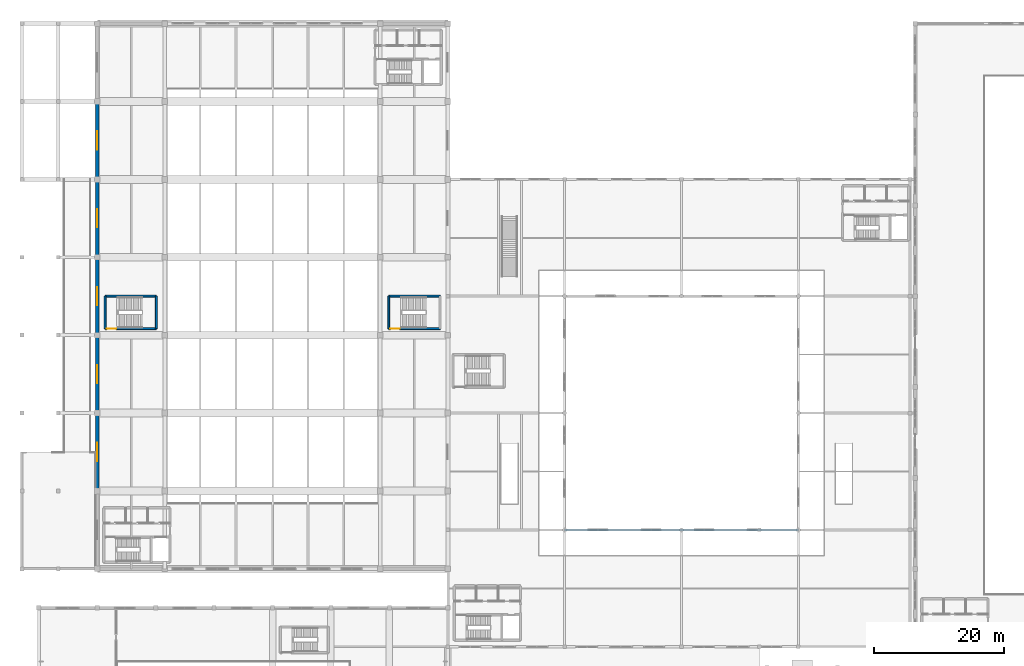
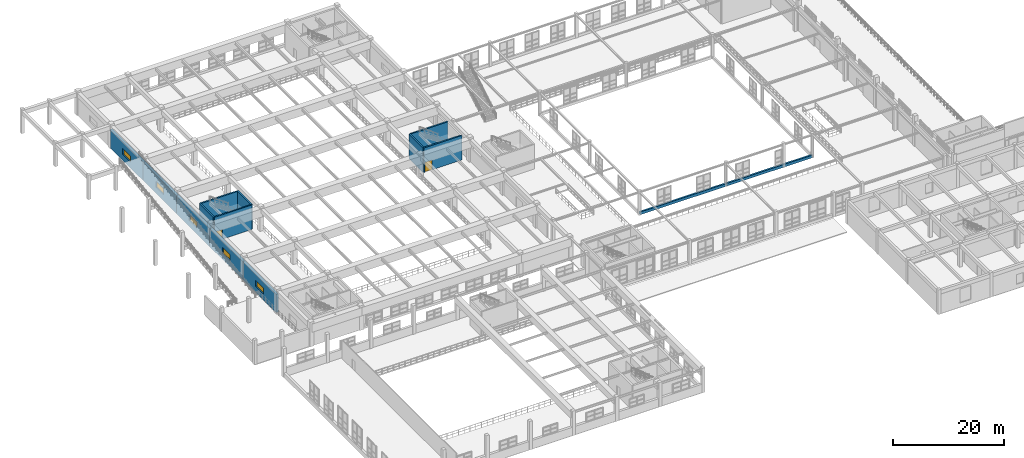
# One storey, part 172 of 197: 13 walls, 5 windows, 2 doors, 7 openings.
"""IFC4 building model written with IfcOpenShell, lengths in metres."""

import ifcopenshell
import ifcopenshell.guid

model = None  # the IFC model being written
_history = None  # IfcOwnerHistory: only IFC2X3 demands one
_inside = {}  # id of a spatial element -> (the spatial element, [elements in it])
_under = {}  # id of a project, library or spatial element -> (it, [spatial elements below it])
_declared = {}  # id of a project -> (the project, [libraries it declares])
_typed = {}  # id of a type object -> (the type object, [elements of that type])
_made_of = {}  # id of a material, layer set ... -> (it, [elements and type objects made of it])


def new_model(schema):
    """Start an empty IFC model of exactly this schema.

    Asked for "IFC4X3", IfcOpenShell would pick the latest addendum, in which some entities
    have other attributes; the version numbers below select the first issue.
    IFC2X3 requires an IfcOwnerHistory on every rooted entity: one is made here for all.
    """
    global model, _history
    if schema == "IFC4X3":
        model = ifcopenshell.file(schema_version=(4, 3, 0, 0))
    else:
        model = ifcopenshell.file(schema=schema)
    _inside.clear()
    _under.clear()
    _declared.clear()
    _typed.clear()
    _made_of.clear()
    _history = None
    if model.schema == "IFC2X3":
        org = make("IfcOrganization", Name="unknown")
        user = make(
            "IfcPersonAndOrganization",
            ThePerson=make("IfcPerson", FamilyName="unknown"),
            TheOrganization=org,
        )
        app = make(
            "IfcApplication",
            ApplicationDeveloper=org,
            Version="unknown",
            ApplicationFullName="unknown",
            ApplicationIdentifier="unknown",
        )
        _history = make(
            "IfcOwnerHistory",
            OwningUser=user,
            OwningApplication=app,
            ChangeAction="ADDED",
            CreationDate=0,
        )
    return model


def make(cls, **values):
    """One entity of the class cls with the attributes given. An attribute that is None is left unset."""
    return model.create_entity(
        cls, **{name: value for name, value in values.items() if value is not None}
    )


def rooted(cls, **values):
    """An entity with a GlobalId (a new one), such as an element, a storey or a relation."""
    return make(cls, GlobalId=ifcopenshell.guid.new(), OwnerHistory=_history, **values)


def si_unit(unit_type, name, prefix=None):
    """IfcSIUnit, for example si_unit("LENGTHUNIT", "METRE", prefix="MILLI")."""
    return make("IfcSIUnit", UnitType=unit_type, Prefix=prefix, Name=name)


def derived_unit(unit_type, elements):
    """IfcDerivedUnit: a product of units, each with its exponent."""
    return make(
        "IfcDerivedUnit",
        Elements=[
            make("IfcDerivedUnitElement", Unit=unit, Exponent=power)
            for unit, power in elements
        ],
        UnitType=unit_type,
    )


def assignment(units):
    """IfcUnitAssignment: the units of a project."""
    return None if units is None else make("IfcUnitAssignment", Units=units)


def point(xyz):
    """IfcCartesianPoint."""
    return None if xyz is None else make("IfcCartesianPoint", Coordinates=xyz)


def direction(xyz):
    """IfcDirection."""
    return None if xyz is None else make("IfcDirection", DirectionRatios=xyz)


def frame(location, z_axis=None, x_axis=None):
    """IfcAxis2Placement3D, a coordinate frame: its origin and axes. An axis left out is left unset."""
    return make(
        "IfcAxis2Placement3D",
        Location=point(location),
        Axis=direction(z_axis),
        RefDirection=direction(x_axis),
    )


def frame_2d(location, x_axis=None):
    """IfcAxis2Placement2D, a coordinate frame in the plane: its origin and x axis."""
    return make(
        "IfcAxis2Placement2D", Location=point(location), RefDirection=direction(x_axis)
    )


def origin():
    """The frame at (0, 0, 0) with its axes left unset."""
    return frame((0.0, 0.0, 0.0))


def place(relative_to, where):
    """IfcLocalPlacement: puts the frame where relative to a parent placement (None: the world)."""
    return make(
        "IfcLocalPlacement", PlacementRelTo=relative_to, RelativePlacement=where
    )


def context(
    kind, dimensions, precision=None, world=None, true_north=None, identifier=None
):
    """IfcGeometricRepresentationContext, for example the 3D "Model" context."""
    return make(
        "IfcGeometricRepresentationContext",
        ContextIdentifier=identifier,
        ContextType=kind,
        CoordinateSpaceDimension=dimensions,
        Precision=precision,
        WorldCoordinateSystem=world,
        TrueNorth=true_north,
    )


def subcontext(parent, identifier, kind, view, scale=None):
    """IfcGeometricRepresentationSubContext, for example "Body" below "Model"."""
    return make(
        "IfcGeometricRepresentationSubContext",
        ContextIdentifier=identifier,
        ContextType=kind,
        ParentContext=parent,
        TargetScale=scale,
        TargetView=view,
    )


def project(units=None, contexts=None):
    """IfcProject with its units and contexts."""
    return rooted(
        "IfcProject",
        Name="project",
        RepresentationContexts=contexts,
        UnitsInContext=assignment(units),
    )


def spatial(cls, under=None, at=None, **own):
    """A site, building, storey or space (cls), placed at a placement, below another one or the project."""
    s = rooted(cls, ObjectPlacement=at, **own)
    if under is not None:
        _under.setdefault(under.id(), (under, []))[1].append(s)
    return s


def profile(cls, at=None, kind="AREA", **sizes):
    """A parametric profile (cls). Its sizes go by their IFC names, for example OverallWidth=200.0."""
    return make(cls, ProfileType=kind, Position=at, **sizes)


def rectangle(**sizes):
    """IfcRectangleProfileDef."""
    return profile("IfcRectangleProfileDef", **sizes)


def extrude(swept, where, along, depth):
    """IfcExtrudedAreaSolid: the profile swept, set in the frame where, extruded along a direction by depth."""
    return make(
        "IfcExtrudedAreaSolid",
        SweptArea=swept,
        Position=where,
        ExtrudedDirection=direction(along),
        Depth=depth,
    )


def shape(context_of_items, identifier, shape_type, items):
    """IfcShapeRepresentation: the items that make up one representation, for example the "Body"."""
    return make(
        "IfcShapeRepresentation",
        ContextOfItems=context_of_items,
        RepresentationIdentifier=identifier,
        RepresentationType=shape_type,
        Items=items,
    )


def material(Name=None, Category=None):
    """IfcMaterial."""
    return make("IfcMaterial", Name=Name, Category=Category)


def layer(
    of_material, thickness, ventilated=None, Name=None, Category=None, Priority=None
):
    """IfcMaterialLayer: one layer of a wall or slab, of a material (None: an air gap)."""
    return make(
        "IfcMaterialLayer",
        Material=of_material,
        LayerThickness=thickness,
        IsVentilated=ventilated,
        Name=Name,
        Category=Category,
        Priority=Priority,
    )


def layer_set(layers, Name=None):
    """IfcMaterialLayerSet."""
    return make("IfcMaterialLayerSet", MaterialLayers=layers, LayerSetName=Name)


def made_of(thing, what):
    """Note that an element or type object is made of a material, layer set ...; save() writes the relation."""
    if what is not None:
        _made_of.setdefault(what.id(), (what, []))[1].append(thing)
    return thing


def type_object(cls, material=None, **own):
    """A type object (cls), such as IfcWallType, which elements share."""
    return made_of(rooted(cls, **own), material)


def element(
    cls,
    number,
    at=None,
    inside=None,
    cuts=None,
    type_object=None,
    material=None,
    context=None,
    identifier="Body",
    shape_type=None,
    held_by="IfcProductDefinitionShape",
    body=None,
    shapes=None,
    **own,
):
    """One element of the class cls, such as IfcWall. Its Tag is "e" and its number.

    at: its placement. inside: the storey or other place that contains it. cuts: it is an
    opening in that element (IfcRelVoidsElement). A single representation is given by context,
    identifier, shape_type and body (its items); several are given by shapes. held_by: the class
    of the entity that holds the representations. save() writes the other relations.
    """
    e = rooted(cls, Tag="e%d" % number, ObjectPlacement=at, **own)
    if body is not None:
        shapes = [shape(context, identifier, shape_type, body)]
    if shapes is not None:
        e.Representation = make(held_by, Representations=shapes)
    if inside is not None:
        _inside.setdefault(inside.id(), (inside, []))[1].append(e)
    if cuts is not None:
        rooted(
            "IfcRelVoidsElement", RelatingBuildingElement=cuts, RelatedOpeningElement=e
        )
    if type_object is not None:
        _typed.setdefault(type_object.id(), (type_object, []))[1].append(e)
    return made_of(e, material)


def fill(opening, filler):
    """IfcRelFillsElement: the door or window that sits in an opening."""
    return rooted(
        "IfcRelFillsElement",
        RelatingOpeningElement=opening,
        RelatedBuildingElement=filler,
    )


def aggregate(whole, parts):
    """IfcRelAggregates: a whole, such as a stair, and the parts it consists of."""
    return rooted("IfcRelAggregates", RelatingObject=whole, RelatedObjects=parts)


def save(model, path):
    """Write the relations noted so far, then the file.

    IfcRelAggregates (storeys below a building ...), IfcRelContainedInSpatialStructure (elements
    in a storey), IfcRelDefinesByType, IfcRelAssociatesMaterial and IfcRelDeclares: one each for
    every whole, place, type object, material and project.
    """
    for whole, parts in _under.values():
        aggregate(whole, parts)
    for where, things in _inside.values():
        rooted(
            "IfcRelContainedInSpatialStructure",
            RelatedElements=things,
            RelatingStructure=where,
        )
    for kind, things in _typed.values():
        rooted("IfcRelDefinesByType", RelatedObjects=things, RelatingType=kind)
    for what, things in _made_of.values():
        rooted("IfcRelAssociatesMaterial", RelatedObjects=things, RelatingMaterial=what)
    for by, libraries in _declared.values():
        rooted("IfcRelDeclares", RelatingContext=by, RelatedDefinitions=libraries)
    model.write(path)


model = new_model("IFC4")

# Units and contexts
model_context = context("Model", 3, precision=1e-05, world=origin(), true_north=direction((0.0, 1.0)))
body_context = subcontext(model_context, "Body", "Model", "MODEL_VIEW")
ifc_project = project(units=[si_unit("LENGTHUNIT", "METRE"), si_unit("AREAUNIT", "SQUARE_METRE"), si_unit("VOLUMEUNIT", "CUBIC_METRE"), si_unit("PLANEANGLEUNIT", "RADIAN"), si_unit("MASSUNIT", "GRAM", prefix="KILO"), derived_unit("THERMALTRANSMITTANCEUNIT", [(si_unit("POWERUNIT", "WATT"), 1), (si_unit("LENGTHUNIT", "METRE"), -2), (si_unit("THERMODYNAMICTEMPERATUREUNIT", "KELVIN"), -1)])], contexts=[model_context])

# Site, building, storey
site_placement = place(None, origin())
site = spatial("IfcSite", under=ifc_project, at=site_placement, CompositionType="ELEMENT")
building_placement = place(site_placement, origin())
building = spatial("IfcBuilding", under=site, at=building_placement, Name="Almenara Railside Exhibition Hall", CompositionType="ELEMENT")
storey_placement = place(building_placement, frame((0.0, 0.0, 5.39990234375)))
storey = spatial("IfcBuildingStorey", under=building, at=storey_placement, Name="L01", CompositionType="ELEMENT", Elevation=5.39990234375)

# Wall
ifc_material_1 = material(Name="Ochre-white lime-rendered masonry over Concrete C35/45", Category="masonry")
ifc_layer_1 = layer(ifc_material_1, 0.360107421875, Name="Ochre-white lime-rendered masonry over Concrete C35/45")
ifc_layer_set_1 = layer_set([ifc_layer_1], Name="Ochre-white lime-rendered masonry over Concrete C35/45")
wall_type_1 = type_object("IfcWallType", Name="Exterior Courtyard Galeria Wall 360mm C35/45", PredefinedType="SOLIDWALL", material=ifc_layer_set_1)
wall_1_placement = place(storey_placement, frame((84.0, 54.0, 0.0), z_axis=(0.0, 0.0, 1.0), x_axis=(1.0, 0.0, 0.0)))
element("IfcWall", 1, at=wall_1_placement, inside=storey, type_object=wall_type_1, Name="Exterior wall 0159", PredefinedType="SOLIDWALL", context=body_context, shape_type="SweptSolid", body=[
    extrude(rectangle(XDim=36.0, YDim=0.360107421875, at=frame_2d((18.0, 0.0))), origin(), (0.0, 0.0, 1.0), 0.60009765625),
])

# Wall, opening, window
ifc_layer_2 = layer(ifc_material_1, 0.5400390625, Name="Ochre-white lime-rendered masonry over Concrete C35/45")
ifc_layer_set_2 = layer_set([ifc_layer_2], Name="Ochre-white lime-rendered masonry over Concrete C35/45")
wall_type_2 = type_object("IfcWallType", Name="Exterior West Hall Thermal Wall 540mm C35/45", PredefinedType="SOLIDWALL", material=ifc_layer_set_2)
wall_2_placement = place(storey_placement, frame((12.0, 72.0, 0.0), z_axis=(0.0, 0.0, 1.0), x_axis=(0.0, -1.0, 0.0)))
wall_2 = element("IfcWall", 2, at=wall_2_placement, inside=storey, type_object=wall_type_2, Name="Exterior wall 0028", PredefinedType="SOLIDWALL", context=body_context, shape_type="SweptSolid", body=[
    extrude(rectangle(XDim=12.0, YDim=0.5400390625, at=frame_2d((6.0, 0.0))), origin(), (0.0, 0.0, 1.0), 4.0),
])
opening_1_placement = place(wall_2_placement, frame((4.60009765625, 0.0, 1.300048828125)))
opening_1 = element("IfcOpeningElement", 3, at=opening_1_placement, cuts=wall_2, Name="Opening W-16", PredefinedType="OPENING", context=body_context, shape_type="SweptSolid", body=[
    extrude(rectangle(XDim=2.800048828125, YDim=1.35009765625, at=frame_2d((1.39990234375, 0.675048828125))), frame((0.0, 0.280029296875, 0.0), z_axis=(0.0, -1.0, 0.0), x_axis=(1.0, 0.0, 0.0)), (0.0, 0.0, 1.0), 0.56005859375),
])
ifc_material_2 = material(Name="Bronze-anodised aluminium and low-E double glazing", Category="aluminium")
window_type = type_object("IfcWindowType", Name="Gallery Clerestory Ribbon Window 2800x1350", PartitioningType="TRIPLE_PANEL_HORIZONTAL", PredefinedType="WINDOW", material=ifc_material_2)
window_1_placement = place(opening_1_placement, origin())
window_1 = element("IfcWindow", 4, at=window_1_placement, inside=storey, type_object=window_type, Name="Window 0002", OverallHeight=1.35009765625, OverallWidth=2.800048828125, PartitioningType="TRIPLE_PANEL_HORIZONTAL", PredefinedType="WINDOW", context=body_context, shape_type="SweptSolid", body=[
    extrude(rectangle(XDim=2.800048828125, YDim=1.35009765625, at=frame_2d((1.39990234375, 0.675048828125))), frame((0.0, 0.030029296875, 0.0), z_axis=(0.0, -1.0, 0.0), x_axis=(1.0, 0.0, 0.0)), (0.0, 0.0, 1.0), 0.06005859375),
])
fill(opening_1, window_1)

wall_3_placement = place(storey_placement, frame((12.0, 84.0, 0.0), z_axis=(0.0, 0.0, 1.0), x_axis=(0.0, -1.0, 0.0)))
wall_3 = element("IfcWall", 5, at=wall_3_placement, inside=storey, type_object=wall_type_2, Name="Exterior wall 0032", PredefinedType="SOLIDWALL", context=body_context, shape_type="SweptSolid", body=[
    extrude(rectangle(XDim=12.0, YDim=0.5400390625, at=frame_2d((6.0, 0.0))), origin(), (0.0, 0.0, 1.0), 4.0),
])
opening_2_placement = place(wall_3_placement, frame((4.60009765625, 0.0, 1.300048828125)))
opening_2 = element("IfcOpeningElement", 6, at=opening_2_placement, cuts=wall_3, Name="Opening W-16", PredefinedType="OPENING", context=body_context, shape_type="SweptSolid", body=[
    extrude(rectangle(XDim=2.800048828125, YDim=1.35009765625, at=frame_2d((1.39990234375, 0.675048828125))), frame((0.0, 0.280029296875, 0.0), z_axis=(0.0, -1.0, 0.0), x_axis=(1.0, 0.0, 0.0)), (0.0, 0.0, 1.0), 0.56005859375),
])
window_2_placement = place(opening_2_placement, origin())
window_2 = element("IfcWindow", 7, at=window_2_placement, inside=storey, type_object=window_type, Name="Window 0004", OverallHeight=1.35009765625, OverallWidth=2.800048828125, PartitioningType="TRIPLE_PANEL_HORIZONTAL", PredefinedType="WINDOW", context=body_context, shape_type="SweptSolid", body=[
    extrude(rectangle(XDim=2.800048828125, YDim=1.35009765625, at=frame_2d((1.39990234375, 0.675048828125))), frame((0.0, 0.030029296875, 0.0), z_axis=(0.0, -1.0, 0.0), x_axis=(1.0, 0.0, 0.0)), (0.0, 0.0, 1.0), 0.06005859375),
])
fill(opening_2, window_2)

wall_4_placement = place(storey_placement, frame((12.0, 96.0, 0.0), z_axis=(0.0, 0.0, 1.0), x_axis=(0.0, -1.0, 0.0)))
wall_4 = element("IfcWall", 8, at=wall_4_placement, inside=storey, type_object=wall_type_2, Name="Exterior wall 0036", PredefinedType="SOLIDWALL", context=body_context, shape_type="SweptSolid", body=[
    extrude(rectangle(XDim=12.0, YDim=0.5400390625, at=frame_2d((6.0, 0.0))), origin(), (0.0, 0.0, 1.0), 4.0),
])
opening_3_placement = place(wall_4_placement, frame((4.60009765625, 0.0, 1.300048828125)))
opening_3 = element("IfcOpeningElement", 9, at=opening_3_placement, cuts=wall_4, Name="Opening W-16", PredefinedType="OPENING", context=body_context, shape_type="SweptSolid", body=[
    extrude(rectangle(XDim=2.800048828125, YDim=1.35009765625, at=frame_2d((1.39990234375, 0.675048828125))), frame((0.0, 0.280029296875, 0.0), z_axis=(0.0, -1.0, 0.0), x_axis=(1.0, 0.0, 0.0)), (0.0, 0.0, 1.0), 0.56005859375),
])
window_3_placement = place(opening_3_placement, origin())
window_3 = element("IfcWindow", 10, at=window_3_placement, inside=storey, type_object=window_type, Name="Window 0006", OverallHeight=1.35009765625, OverallWidth=2.800048828125, PartitioningType="TRIPLE_PANEL_HORIZONTAL", PredefinedType="WINDOW", context=body_context, shape_type="SweptSolid", body=[
    extrude(rectangle(XDim=2.800048828125, YDim=1.35009765625, at=frame_2d((1.39990234375, 0.675048828125))), frame((0.0, 0.030029296875, 0.0), z_axis=(0.0, -1.0, 0.0), x_axis=(1.0, 0.0, 0.0)), (0.0, 0.0, 1.0), 0.06005859375),
])
fill(opening_3, window_3)

wall_5_placement = place(storey_placement, frame((12.0, 108.0, 0.0), z_axis=(0.0, 0.0, 1.0), x_axis=(0.0, -1.0, 0.0)))
wall_5 = element("IfcWall", 11, at=wall_5_placement, inside=storey, type_object=wall_type_2, Name="Exterior wall 0040", PredefinedType="SOLIDWALL", context=body_context, shape_type="SweptSolid", body=[
    extrude(rectangle(XDim=12.0, YDim=0.5400390625, at=frame_2d((6.0, 0.0))), origin(), (0.0, 0.0, 1.0), 4.0),
])
opening_4_placement = place(wall_5_placement, frame((4.60009765625, 0.0, 1.300048828125)))
opening_4 = element("IfcOpeningElement", 12, at=opening_4_placement, cuts=wall_5, Name="Opening W-16", PredefinedType="OPENING", context=body_context, shape_type="SweptSolid", body=[
    extrude(rectangle(XDim=2.800048828125, YDim=1.35009765625, at=frame_2d((1.39990234375, 0.675048828125))), frame((0.0, 0.280029296875, 0.0), z_axis=(0.0, -1.0, 0.0), x_axis=(1.0, 0.0, 0.0)), (0.0, 0.0, 1.0), 0.56005859375),
])
window_4_placement = place(opening_4_placement, origin())
window_4 = element("IfcWindow", 13, at=window_4_placement, inside=storey, type_object=window_type, Name="Window 0008", OverallHeight=1.35009765625, OverallWidth=2.800048828125, PartitioningType="TRIPLE_PANEL_HORIZONTAL", PredefinedType="WINDOW", context=body_context, shape_type="SweptSolid", body=[
    extrude(rectangle(XDim=2.800048828125, YDim=1.35009765625, at=frame_2d((1.39990234375, 0.675048828125))), frame((0.0, 0.030029296875, 0.0), z_axis=(0.0, -1.0, 0.0), x_axis=(1.0, 0.0, 0.0)), (0.0, 0.0, 1.0), 0.06005859375),
])
fill(opening_4, window_4)

wall_6_placement = place(storey_placement, frame((12.0, 120.0, 0.0), z_axis=(0.0, 0.0, 1.0), x_axis=(0.0, -1.0, 0.0)))
wall_6 = element("IfcWall", 14, at=wall_6_placement, inside=storey, type_object=wall_type_2, Name="Exterior wall 0044", PredefinedType="SOLIDWALL", context=body_context, shape_type="SweptSolid", body=[
    extrude(rectangle(XDim=12.0, YDim=0.5400390625, at=frame_2d((6.0, 0.0))), origin(), (0.0, 0.0, 1.0), 4.0),
])
opening_5_placement = place(wall_6_placement, frame((4.60009765625, 0.0, 1.300048828125)))
opening_5 = element("IfcOpeningElement", 15, at=opening_5_placement, cuts=wall_6, Name="Opening W-16", PredefinedType="OPENING", context=body_context, shape_type="SweptSolid", body=[
    extrude(rectangle(XDim=2.800048828125, YDim=1.35009765625, at=frame_2d((1.39990234375, 0.675048828125))), frame((0.0, 0.280029296875, 0.0), z_axis=(0.0, -1.0, 0.0), x_axis=(1.0, 0.0, 0.0)), (0.0, 0.0, 1.0), 0.56005859375),
])
window_5_placement = place(opening_5_placement, origin())
window_5 = element("IfcWindow", 16, at=window_5_placement, inside=storey, type_object=window_type, Name="Window 0010", OverallHeight=1.35009765625, OverallWidth=2.800048828125, PartitioningType="TRIPLE_PANEL_HORIZONTAL", PredefinedType="WINDOW", context=body_context, shape_type="SweptSolid", body=[
    extrude(rectangle(XDim=2.800048828125, YDim=1.35009765625, at=frame_2d((1.39990234375, 0.675048828125))), frame((0.0, 0.030029296875, 0.0), z_axis=(0.0, -1.0, 0.0), x_axis=(1.0, 0.0, 0.0)), (0.0, 0.0, 1.0), 0.06005859375),
])
fill(opening_5, window_5)

# Wall, opening, door
ifc_material_3 = material(Name="Concrete C35/45", Category="concrete")
ifc_layer_3 = layer(ifc_material_3, 0.300048828125, Name="Concrete C35/45")
ifc_layer_set_3 = layer_set([ifc_layer_3], Name="Concrete C35/45")
wall_type_3 = type_object("IfcWallType", Name="Stair and Lift Shaft Wall 300mm C35/45", PredefinedType="SHEAR", material=ifc_layer_set_3)
wall_7_placement = place(storey_placement, frame((13.199951171875, 85.0, 0.0), z_axis=(0.0, 0.0, 1.0), x_axis=(1.0, 0.0, 0.0)))
wall_7 = element("IfcWall", 17, at=wall_7_placement, inside=storey, type_object=wall_type_3, Name="Interior wall 0280", PredefinedType="SHEAR", context=body_context, shape_type="SweptSolid", body=[
    extrude(rectangle(XDim=7.900146484375, YDim=0.300048828125, at=frame_2d((3.9501953125, 0.0))), origin(), (0.0, 0.0, 1.0), 5.400146484375),
])
opening_6_placement = place(wall_7_placement, frame((0.25, 0.0, 0.0)))
opening_6 = element("IfcOpeningElement", 18, at=opening_6_placement, cuts=wall_7, Name="Opening FD-145", PredefinedType="OPENING", context=body_context, shape_type="SweptSolid", body=[
    extrude(rectangle(XDim=1.449951171875, YDim=2.14990234375, at=frame_2d((0.72509765625, 1.074951171875))), frame((0.0, 0.159912109375, 0.0), z_axis=(0.0, -1.0, 0.0), x_axis=(1.0, 0.0, 0.0)), (0.0, 0.0, 1.0), 0.320068359375),
])
ifc_material_4 = material(Name="Steel-framed fire-rated timber door", Category="steel")
door_type = type_object("IfcDoorType", Name="Fire Escape Stair Door 1450x2150 EI60", OperationType="NOTDEFINED", PredefinedType="DOOR", material=ifc_material_4)
door_1_placement = place(opening_6_placement, origin())
door_1 = element("IfcDoor", 19, at=door_1_placement, inside=storey, type_object=door_type, Name="Interior door FD-145-185", OperationType="DOUBLE_DOOR_SINGLE_SWING", OverallHeight=2.14990234375, OverallWidth=1.449951171875, PredefinedType="DOOR", context=body_context, shape_type="SweptSolid", body=[
    extrude(rectangle(XDim=1.449951171875, YDim=2.14990234375, at=frame_2d((0.72509765625, 1.074951171875))), frame((0.0, 0.02490234375, 0.0), z_axis=(0.0, -1.0, 0.0), x_axis=(1.0, 0.0, 0.0)), (0.0, 0.0, 1.0), 0.050048828125),
])
fill(opening_6, door_1)

# Walls
wall_8_placement = place(storey_placement, frame((21.10009765625, 90.0, 0.0), z_axis=(0.0, 0.0, 1.0), x_axis=(-1.0, 0.0, 0.0)))
element("IfcWall", 20, at=wall_8_placement, inside=storey, type_object=wall_type_3, Name="Interior wall 0281", PredefinedType="SHEAR", context=body_context, shape_type="SweptSolid", body=[
    extrude(rectangle(XDim=7.900146484375, YDim=0.300048828125, at=frame_2d((3.9501953125, 0.0))), origin(), (0.0, 0.0, 1.0), 5.400146484375),
])
for number, where, z_axis, x_axis, name in (
    (21, (13.199951171875, 90.0, 0.0), (0.0, 0.0, 1.0), (0.0, -1.0, 0.0), "Interior wall 0282"),
    (22, (21.10009765625, 85.0, 0.0), (0.0, 0.0, 1.0), (0.0, 1.0, 0.0), "Interior wall 0283"),
):
    element("IfcWall", number, at=place(storey_placement, frame(where, z_axis=z_axis, x_axis=x_axis)), inside=storey, type_object=wall_type_3, Name=name, PredefinedType="SHEAR", context=body_context, shape_type="SweptSolid", body=[
        extrude(rectangle(XDim=5.0, YDim=0.300048828125, at=frame_2d((2.5, 0.0))), origin(), (0.0, 0.0, 1.0), 5.400146484375),
    ])

# Wall, opening, door
wall_9_placement = place(storey_placement, frame((56.89990234375, 85.0, 0.0), z_axis=(0.0, 0.0, 1.0), x_axis=(1.0, 0.0, 0.0)))
wall_9 = element("IfcWall", 23, at=wall_9_placement, inside=storey, type_object=wall_type_3, Name="Interior wall 0292", PredefinedType="SHEAR", context=body_context, shape_type="SweptSolid", body=[
    extrude(rectangle(XDim=7.900146484375, YDim=0.300048828125, at=frame_2d((3.9501953125, 0.0))), origin(), (0.0, 0.0, 1.0), 5.400146484375),
])
opening_7_placement = place(wall_9_placement, frame((0.25, 0.0, 0.0)))
opening_7 = element("IfcOpeningElement", 24, at=opening_7_placement, cuts=wall_9, Name="Opening FD-145", PredefinedType="OPENING", context=body_context, shape_type="SweptSolid", body=[
    extrude(rectangle(XDim=1.449951171875, YDim=2.14990234375, at=frame_2d((0.72509765625, 1.074951171875))), frame((0.0, 0.159912109375, 0.0), z_axis=(0.0, -1.0, 0.0), x_axis=(1.0, 0.0, 0.0)), (0.0, 0.0, 1.0), 0.320068359375),
])
door_2_placement = place(opening_7_placement, origin())
door_2 = element("IfcDoor", 25, at=door_2_placement, inside=storey, type_object=door_type, Name="Interior door FD-145-188", OperationType="DOUBLE_DOOR_SINGLE_SWING", OverallHeight=2.14990234375, OverallWidth=1.449951171875, PredefinedType="DOOR", context=body_context, shape_type="SweptSolid", body=[
    extrude(rectangle(XDim=1.449951171875, YDim=2.14990234375, at=frame_2d((0.72509765625, 1.074951171875))), frame((0.0, 0.02490234375, 0.0), z_axis=(0.0, -1.0, 0.0), x_axis=(1.0, 0.0, 0.0)), (0.0, 0.0, 1.0), 0.050048828125),
])
fill(opening_7, door_2)

# Walls
wall_10_placement = place(storey_placement, frame((64.800048828125, 90.0, 0.0), z_axis=(0.0, 0.0, 1.0), x_axis=(-1.0, 0.0, 0.0)))
element("IfcWall", 26, at=wall_10_placement, inside=storey, type_object=wall_type_3, Name="Interior wall 0293", PredefinedType="SHEAR", context=body_context, shape_type="SweptSolid", body=[
    extrude(rectangle(XDim=7.900146484375, YDim=0.300048828125, at=frame_2d((3.9501953125, 0.0))), origin(), (0.0, 0.0, 1.0), 5.400146484375),
])
wall_11_placement = place(storey_placement, frame((56.89990234375, 90.0, 0.0), z_axis=(0.0, 0.0, 1.0), x_axis=(0.0, -1.0, 0.0)))
element("IfcWall", 27, at=wall_11_placement, inside=storey, type_object=wall_type_3, Name="Interior wall 0294", PredefinedType="SHEAR", context=body_context, shape_type="SweptSolid", body=[
    extrude(rectangle(XDim=5.0, YDim=0.300048828125, at=frame_2d((2.5, 0.0))), origin(), (0.0, 0.0, 1.0), 5.400146484375),
])

save(model, "model.ifc")
